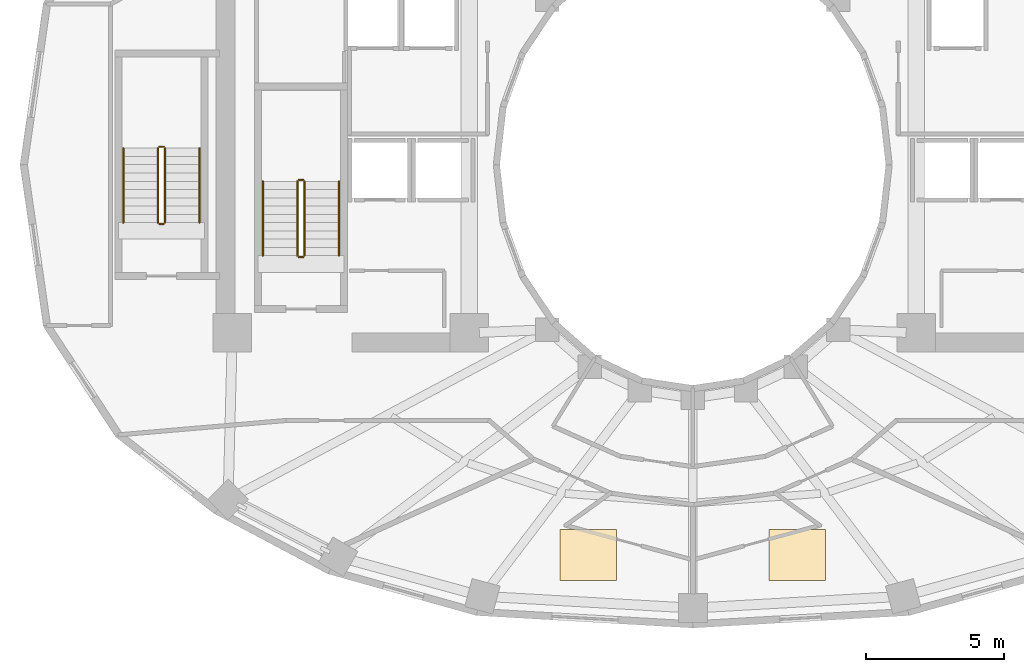
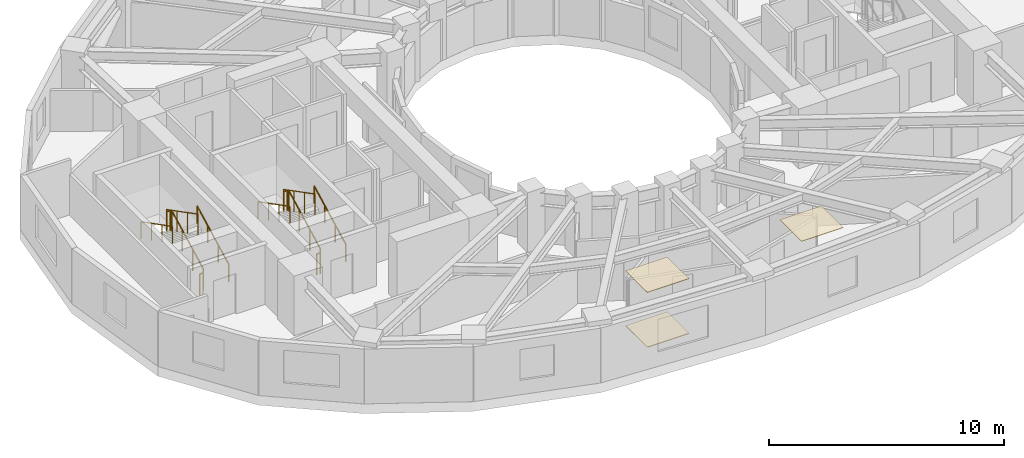
# One storey, part 8 of 9: 12 railings, 3 coverings.
"""IFC4 building model written with IfcOpenShell, lengths in metres."""

from ifc_helpers import new_model, si_unit, direction, frame, origin, origin_2d, place, context, subcontext, project, spatial, polyline, circle, outline, extrude, material, layer, layer_set, type_object, element, save


model = new_model("IFC4")

# Units and contexts
model_context = context("Model", 3, precision=1e-05, world=origin(), true_north=direction((0.0, 1.0)))
body_context = subcontext(model_context, "Body", "Model", "MODEL_VIEW")
ifc_project = project(units=[si_unit("LENGTHUNIT", "METRE"), si_unit("AREAUNIT", "SQUARE_METRE"), si_unit("VOLUMEUNIT", "CUBIC_METRE"), si_unit("PLANEANGLEUNIT", "RADIAN"), si_unit("MASSUNIT", "GRAM", prefix="KILO")], contexts=[model_context])

# Site, building, storey
site_placement = place(None, origin())
site = spatial("IfcSite", under=ifc_project, at=site_placement, CompositionType="ELEMENT")
building_placement = place(site_placement, origin())
building = spatial("IfcBuilding", under=site, at=building_placement, Name="Solvane Sanctuary Tower", CompositionType="ELEMENT")
storey_placement = place(building_placement, frame((0.0, 0.0, 113.5)))
storey = spatial("IfcBuildingStorey", under=building, at=storey_placement, Name="L34", CompositionType="ELEMENT", Elevation=113.5)

# Coverings
ifc_material_1 = material(Name="Acoustic Gypsum Partition Board")
ifc_layer_1 = layer(ifc_material_1, 0.02490234375, Name="Acoustic Gypsum Partition Board")
ifc_layer_set_1 = layer_set([ifc_layer_1], Name="Acoustic Gypsum Partition Board")
covering_type_1 = type_object("IfcCoveringType", Name="Covering CLG-ACOUST", PredefinedType="CEILING", material=ifc_layer_set_1)
covering_1_placement = place(storey_placement, frame((0.0, 0.0, 2.85009765625)))
element("IfcCovering", 1, at=covering_1_placement, inside=storey, type_object=covering_type_1, Name="L34 Unit Acoustic Ceiling Panel 3", PredefinedType="CEILING", context=body_context, shape_type="SweptSolid", body=[
    extrude(outline(polyline([(27.18310546875, 7.924072265625), (29.23291015625, 7.924072265625), (29.23291015625, 9.77392578125), (27.18310546875, 9.77392578125), (27.18310546875, 7.924072265625)])), origin(), (0.0, 0.0, 1.0), 0.02978515625),
])
covering_2_placement = place(storey_placement, frame((0.0, 0.0, 2.85009765625)))
element("IfcCovering", 2, at=covering_2_placement, inside=storey, type_object=covering_type_1, Name="L34 Unit Acoustic Ceiling Panel 4", PredefinedType="CEILING", context=body_context, shape_type="SweptSolid", body=[
    extrude(outline(polyline([(34.76708984375, 7.924072265625), (36.81689453125, 7.924072265625), (36.81689453125, 9.77392578125), (34.76708984375, 9.77392578125), (34.76708984375, 7.924072265625)])), origin(), (0.0, 0.0, 1.0), 0.02978515625),
])
ifc_material_2 = material(Name="Ceramic Tile Finish")
ifc_layer_2 = layer(ifc_material_2, 0.030029296875, Name="Ceramic Tile Finish")
ifc_layer_set_2 = layer_set([ifc_layer_2], Name="Ceramic Tile Finish")
covering_type_2 = type_object("IfcCoveringType", Name="Covering FLR-TERRAZZO", PredefinedType="FLOORING", material=ifc_layer_set_2)
covering_3_placement = place(storey_placement, origin())
element("IfcCovering", 3, at=covering_3_placement, inside=storey, type_object=covering_type_2, Name="L34 Unit Terrazzo Inlay 3", PredefinedType="FLOORING", context=body_context, shape_type="SweptSolid", body=[
    extrude(outline(polyline([(27.18310546875, 7.924072265625), (29.23291015625, 7.924072265625), (29.23291015625, 9.77392578125), (27.18310546875, 9.77392578125), (27.18310546875, 7.924072265625)])), origin(), (0.0, 0.0, 1.0), 0.034912109375),
])

# Railings
ifc_material_3 = material(Name="Architectural Stainless Steel 316", Category="steel")
railing_type_1 = type_object("IfcRailingType", Name="Railing GR-BALC-1150", PredefinedType="BALUSTRADE", material=ifc_material_3)
railing_1_placement = place(storey_placement, frame((17.919921875, 19.699951171875, 0.155029296875)))
element("IfcRailing", 4, at=railing_1_placement, inside=storey, type_object=railing_type_1, Name="L34 ST-1 stair guard 1", PredefinedType="BALUSTRADE", context=body_context, shape_type="SweptSolid", body=[
    extrude(circle(Radius=0.02392578125, at=origin_2d()), frame((0.0, 0.0, 1.076171875), z_axis=(0.0, 0.888419900624, 0.459031676658), x_axis=(-1.0, 0.0, 0.0)), (0.0, 0.0, 1.0), 3.0390625),
    extrude(circle(Radius=0.02099609375, at=origin_2d()), origin(), (0.0, 0.0, 1.0), 1.052001953125),
    extrude(circle(Radius=0.02099609375, at=origin_2d()), frame((0.0, 0.89990234375, 0.465087890625)), (0.0, 0.0, 1.0), 1.052001953125),
    extrude(circle(Radius=0.02099609375, at=origin_2d()), frame((0.0, 1.800048828125, 0.929931640625)), (0.0, 0.0, 1.0), 1.052001953125),
    extrude(circle(Radius=0.02099609375, at=origin_2d()), frame((0.0, 2.699951171875, 1.39501953125)), (0.0, 0.0, 1.0), 1.052001953125),
])
railing_2_placement = place(storey_placement, frame((17.8701171875, 22.449951171875, 1.550048828125)))
element("IfcRailing", 5, at=railing_2_placement, inside=storey, type_object=railing_type_1, Name="L34 ST-1 stair guard 2", PredefinedType="BALUSTRADE", context=body_context, shape_type="SweptSolid", body=[
    extrude(circle(Radius=0.02392578125, at=origin_2d()), frame((0.0, 0.0, 1.076171875), z_axis=(-1.0, 0.0, 0.0), x_axis=(0.0, -1.0, 0.0)), (0.0, 0.0, 1.0), 0.16015625),
    extrude(circle(Radius=0.02099609375, at=origin_2d()), origin(), (0.0, 0.0, 1.0), 1.052001953125),
    extrude(circle(Radius=0.02099609375, at=origin_2d()), frame((-0.16015625, 0.0, 0.0)), (0.0, 0.0, 1.0), 1.052001953125),
])
railing_3_placement = place(storey_placement, frame((17.659912109375, 22.39990234375, 1.705078125)))
element("IfcRailing", 6, at=railing_3_placement, inside=storey, type_object=railing_type_1, Name="L34 ST-1 stair guard 3", PredefinedType="BALUSTRADE", context=body_context, shape_type="SweptSolid", body=[
    extrude(circle(Radius=0.02392578125, at=origin_2d()), frame((0.0, 0.0, 1.076171875), z_axis=(0.0, -0.888419900624, 0.459031676658), x_axis=(1.0, 0.0, 0.0)), (0.0, 0.0, 1.0), 3.0390625),
    extrude(circle(Radius=0.02099609375, at=origin_2d()), origin(), (0.0, 0.0, 1.0), 1.052001953125),
    extrude(circle(Radius=0.02099609375, at=origin_2d()), frame((0.0, -0.89990234375, 0.465087890625)), (0.0, 0.0, 1.0), 1.052001953125),
    extrude(circle(Radius=0.02099609375, at=origin_2d()), frame((0.0, -1.800048828125, 0.929931640625)), (0.0, 0.0, 1.0), 1.052001953125),
    extrude(circle(Radius=0.02099609375, at=origin_2d()), frame((0.0, -2.699951171875, 1.39501953125)), (0.0, 0.0, 1.0), 1.052001953125),
])
railing_4_placement = place(storey_placement, frame((17.8701171875, 19.64990234375, 0.0)))
element("IfcRailing", 7, at=railing_4_placement, inside=storey, type_object=railing_type_1, Name="L34 ST-1 stair guard 4", PredefinedType="BALUSTRADE", context=body_context, shape_type="SweptSolid", body=[
    extrude(circle(Radius=0.02392578125, at=origin_2d()), frame((0.0, 0.0, 1.076171875), z_axis=(-1.0, 0.0, 0.0), x_axis=(0.0, -1.0, 0.0)), (0.0, 0.0, 1.0), 0.16015625),
    extrude(circle(Radius=0.02099609375, at=origin_2d()), origin(), (0.0, 0.0, 1.0), 1.052001953125),
    extrude(circle(Radius=0.02099609375, at=origin_2d()), frame((-0.16015625, 0.0, 0.0)), (0.0, 0.0, 1.0), 1.052001953125),
])
railing_5_placement = place(storey_placement, frame((12.860107421875, 20.89990234375, 0.155029296875)))
element("IfcRailing", 8, at=railing_5_placement, inside=storey, type_object=railing_type_1, Name="L34 ST-3 stair guard 1", PredefinedType="BALUSTRADE", context=body_context, shape_type="SweptSolid", body=[
    extrude(circle(Radius=0.02392578125, at=origin_2d()), frame((0.0, 0.0, 1.076171875), z_axis=(0.0, 0.888436826113, 0.458998917216), x_axis=(-1.0, 0.0, 0.0)), (0.0, 0.0, 1.0), 3.039306640625),
    extrude(circle(Radius=0.02099609375, at=origin_2d()), origin(), (0.0, 0.0, 1.0), 1.052001953125),
    extrude(circle(Radius=0.02099609375, at=origin_2d()), frame((0.0, 0.900146484375, 0.465087890625)), (0.0, 0.0, 1.0), 1.052001953125),
    extrude(circle(Radius=0.02099609375, at=origin_2d()), frame((0.0, 1.800048828125, 0.929931640625)), (0.0, 0.0, 1.0), 1.052001953125),
    extrude(circle(Radius=0.02099609375, at=origin_2d()), frame((0.0, 2.7001953125, 1.39501953125)), (0.0, 0.0, 1.0), 1.052001953125),
])
railing_6_placement = place(storey_placement, frame((12.81005859375, 23.64990234375, 1.550048828125)))
element("IfcRailing", 9, at=railing_6_placement, inside=storey, type_object=railing_type_1, Name="L34 ST-3 stair guard 2", PredefinedType="BALUSTRADE", context=body_context, shape_type="SweptSolid", body=[
    extrude(circle(Radius=0.02392578125, at=origin_2d()), frame((0.0, 0.0, 1.076171875), z_axis=(-1.0, 0.0, 0.0), x_axis=(0.0, -1.0, 0.0)), (0.0, 0.0, 1.0), 0.16015625),
    extrude(circle(Radius=0.02099609375, at=origin_2d()), origin(), (0.0, 0.0, 1.0), 1.052001953125),
    extrude(circle(Radius=0.02099609375, at=origin_2d()), frame((-0.16015625, 0.0, 0.0)), (0.0, 0.0, 1.0), 1.052001953125),
])
railing_7_placement = place(storey_placement, frame((12.60009765625, 23.60009765625, 1.705078125)))
element("IfcRailing", 10, at=railing_7_placement, inside=storey, type_object=railing_type_1, Name="L34 ST-3 stair guard 3", PredefinedType="BALUSTRADE", context=body_context, shape_type="SweptSolid", body=[
    extrude(circle(Radius=0.02392578125, at=origin_2d()), frame((0.0, 0.0, 1.076171875), z_axis=(0.0, -0.888436826113, 0.458998917216), x_axis=(1.0, 0.0, 0.0)), (0.0, 0.0, 1.0), 3.039306640625),
    extrude(circle(Radius=0.02099609375, at=origin_2d()), origin(), (0.0, 0.0, 1.0), 1.052001953125),
    extrude(circle(Radius=0.02099609375, at=origin_2d()), frame((0.0, -0.900146484375, 0.465087890625)), (0.0, 0.0, 1.0), 1.052001953125),
    extrude(circle(Radius=0.02099609375, at=origin_2d()), frame((0.0, -1.800048828125, 0.929931640625)), (0.0, 0.0, 1.0), 1.052001953125),
    extrude(circle(Radius=0.02099609375, at=origin_2d()), frame((0.0, -2.7001953125, 1.39501953125)), (0.0, 0.0, 1.0), 1.052001953125),
])
railing_8_placement = place(storey_placement, frame((12.81005859375, 20.85009765625, 0.0)))
element("IfcRailing", 11, at=railing_8_placement, inside=storey, type_object=railing_type_1, Name="L34 ST-3 stair guard 4", PredefinedType="BALUSTRADE", context=body_context, shape_type="SweptSolid", body=[
    extrude(circle(Radius=0.02392578125, at=origin_2d()), frame((0.0, 0.0, 1.076171875), z_axis=(-1.0, 0.0, 0.0), x_axis=(0.0, -1.0, 0.0)), (0.0, 0.0, 1.0), 0.16015625),
    extrude(circle(Radius=0.02099609375, at=origin_2d()), origin(), (0.0, 0.0, 1.0), 1.052001953125),
    extrude(circle(Radius=0.02099609375, at=origin_2d()), frame((-0.16015625, 0.0, 0.0)), (0.0, 0.0, 1.0), 1.052001953125),
])
railing_type_2 = type_object("IfcRailingType", Name="Railing HR-STAIR-920", PredefinedType="HANDRAIL", material=ifc_material_3)
railing_9_placement = place(storey_placement, frame((19.169921875, 19.699951171875, 0.155029296875)))
element("IfcRailing", 12, at=railing_9_placement, inside=storey, type_object=railing_type_2, Name="L34 ST-1 stair handrail 1", PredefinedType="HANDRAIL", context=body_context, shape_type="SweptSolid", body=[
    extrude(circle(Radius=0.02392578125, at=origin_2d()), frame((0.0, 0.0, 0.8759765625), z_axis=(0.0, 0.888419900624, 0.459031676658), x_axis=(-1.0, 0.0, 0.0)), (0.0, 0.0, 1.0), 3.0390625),
    extrude(circle(Radius=0.02099609375, at=origin_2d()), origin(), (0.0, 0.0, 1.0), 0.851806640625),
    extrude(circle(Radius=0.02099609375, at=origin_2d()), frame((0.0, 0.89990234375, 0.465087890625)), (0.0, 0.0, 1.0), 0.851806640625),
    extrude(circle(Radius=0.02099609375, at=origin_2d()), frame((0.0, 1.800048828125, 0.929931640625)), (0.0, 0.0, 1.0), 0.851806640625),
    extrude(circle(Radius=0.02099609375, at=origin_2d()), frame((0.0, 2.699951171875, 1.39501953125)), (0.0, 0.0, 1.0), 0.851806640625),
])
railing_10_placement = place(storey_placement, frame((16.409912109375, 22.39990234375, 1.705078125)))
element("IfcRailing", 13, at=railing_10_placement, inside=storey, type_object=railing_type_2, Name="L34 ST-1 stair handrail 2", PredefinedType="HANDRAIL", context=body_context, shape_type="SweptSolid", body=[
    extrude(circle(Radius=0.02392578125, at=origin_2d()), frame((0.0, 0.0, 0.8759765625), z_axis=(0.0, -0.888419900624, 0.459031676658), x_axis=(1.0, 0.0, 0.0)), (0.0, 0.0, 1.0), 3.0390625),
    extrude(circle(Radius=0.02099609375, at=origin_2d()), origin(), (0.0, 0.0, 1.0), 0.851806640625),
    extrude(circle(Radius=0.02099609375, at=origin_2d()), frame((0.0, -0.89990234375, 0.465087890625)), (0.0, 0.0, 1.0), 0.851806640625),
    extrude(circle(Radius=0.02099609375, at=origin_2d()), frame((0.0, -1.800048828125, 0.929931640625)), (0.0, 0.0, 1.0), 0.851806640625),
    extrude(circle(Radius=0.02099609375, at=origin_2d()), frame((0.0, -2.699951171875, 1.39501953125)), (0.0, 0.0, 1.0), 0.851806640625),
])
railing_11_placement = place(storey_placement, frame((14.110107421875, 20.89990234375, 0.155029296875)))
element("IfcRailing", 14, at=railing_11_placement, inside=storey, type_object=railing_type_2, Name="L34 ST-3 stair handrail 1", PredefinedType="HANDRAIL", context=body_context, shape_type="SweptSolid", body=[
    extrude(circle(Radius=0.02392578125, at=origin_2d()), frame((0.0, 0.0, 0.8759765625), z_axis=(0.0, 0.888436826113, 0.458998917216), x_axis=(-1.0, 0.0, 0.0)), (0.0, 0.0, 1.0), 3.039306640625),
    extrude(circle(Radius=0.02099609375, at=origin_2d()), origin(), (0.0, 0.0, 1.0), 0.851806640625),
    extrude(circle(Radius=0.02099609375, at=origin_2d()), frame((0.0, 0.900146484375, 0.465087890625)), (0.0, 0.0, 1.0), 0.851806640625),
    extrude(circle(Radius=0.02099609375, at=origin_2d()), frame((0.0, 1.800048828125, 0.929931640625)), (0.0, 0.0, 1.0), 0.851806640625),
    extrude(circle(Radius=0.02099609375, at=origin_2d()), frame((0.0, 2.7001953125, 1.39501953125)), (0.0, 0.0, 1.0), 0.851806640625),
])
railing_12_placement = place(storey_placement, frame((11.35009765625, 23.60009765625, 1.705078125)))
element("IfcRailing", 15, at=railing_12_placement, inside=storey, type_object=railing_type_2, Name="L34 ST-3 stair handrail 2", PredefinedType="HANDRAIL", context=body_context, shape_type="SweptSolid", body=[
    extrude(circle(Radius=0.02392578125, at=origin_2d()), frame((0.0, 0.0, 0.8759765625), z_axis=(0.0, -0.888436826113, 0.458998917216), x_axis=(1.0, 0.0, 0.0)), (0.0, 0.0, 1.0), 3.039306640625),
    extrude(circle(Radius=0.02099609375, at=origin_2d()), origin(), (0.0, 0.0, 1.0), 0.851806640625),
    extrude(circle(Radius=0.02099609375, at=origin_2d()), frame((0.0, -0.900146484375, 0.465087890625)), (0.0, 0.0, 1.0), 0.851806640625),
    extrude(circle(Radius=0.02099609375, at=origin_2d()), frame((0.0, -1.800048828125, 0.929931640625)), (0.0, 0.0, 1.0), 0.851806640625),
    extrude(circle(Radius=0.02099609375, at=origin_2d()), frame((0.0, -2.7001953125, 1.39501953125)), (0.0, 0.0, 1.0), 0.851806640625),
])

save(model, "model.ifc")
